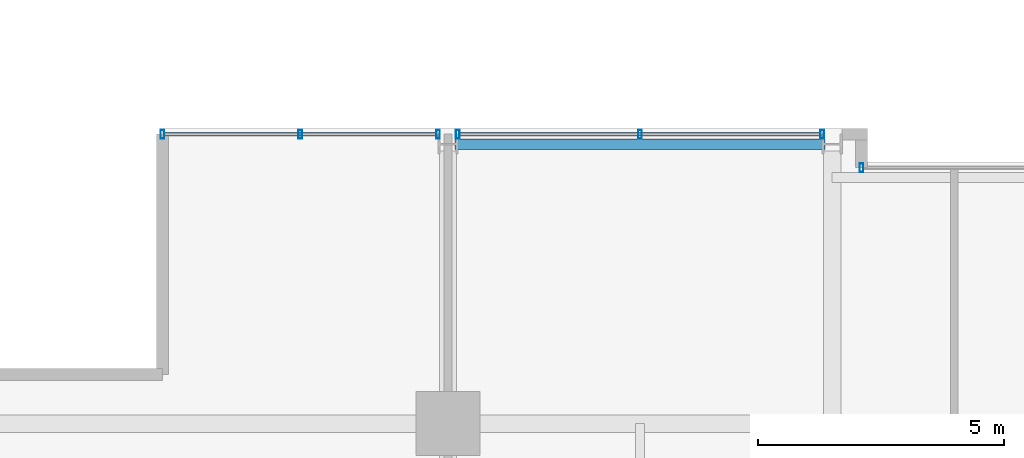
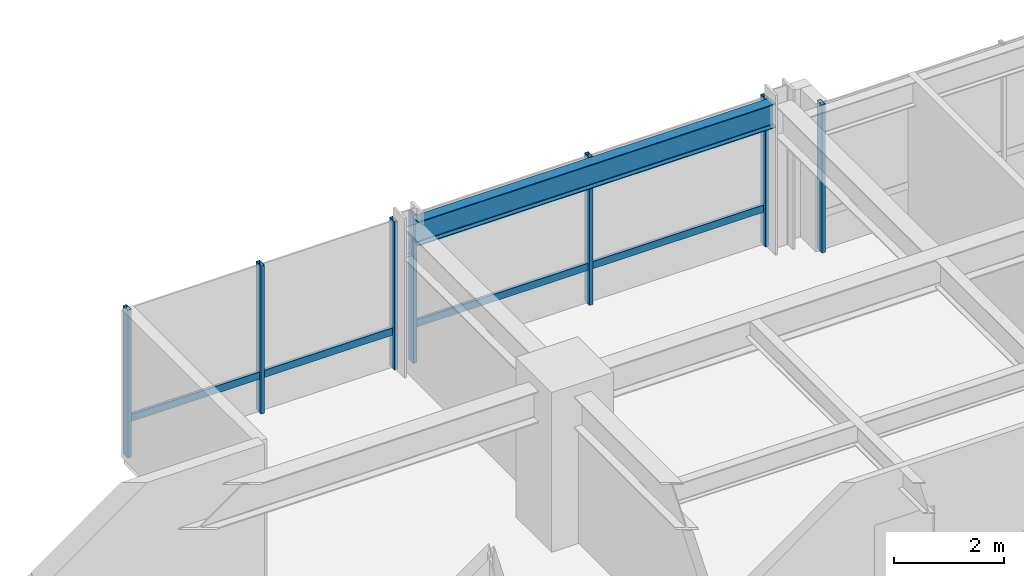
# One storey, part 21 of 33: 9 members, 1 beam, 3 elements without a shape of their own.
"""IFC4 building model written with IfcOpenShell, lengths in metres."""

from ifc_helpers import new_model, si_unit, direction, frame, origin, origin_2d, place, context, subcontext, project, spatial, hollow_rectangle, i_section, extrude, material, layer, layer_set, material_profile, profile_set, type_object, element, aggregate, save


model = new_model("IFC4")

# Units and contexts
model_context = context("Model", 3, precision=1e-05, world=origin(), true_north=direction((0.0, 1.0)))
body_context = subcontext(model_context, "Body", "Model", "MODEL_VIEW")
ifc_project = project(units=[si_unit("LENGTHUNIT", "METRE"), si_unit("AREAUNIT", "SQUARE_METRE"), si_unit("VOLUMEUNIT", "CUBIC_METRE"), si_unit("PLANEANGLEUNIT", "RADIAN"), si_unit("MASSUNIT", "GRAM", prefix="KILO")], contexts=[model_context])

# Site, building, storey
site_placement = place(None, origin())
site = spatial("IfcSite", under=ifc_project, at=site_placement, CompositionType="ELEMENT")
building_placement = place(site_placement, origin())
building = spatial("IfcBuilding", under=site, at=building_placement, Name="Drelvath Grand Hotel", CompositionType="ELEMENT")
storey_placement = place(building_placement, frame((0.0, 0.0, 171.699951171875)))
storey = spatial("IfcBuildingStorey", under=building, at=storey_placement, Name="L44", CompositionType="ELEMENT", Elevation=171.699951171875)

# Curtain wall, member
ifc_material_1 = material(Name="Brushed Pale-Silver Anodised Aluminium Frame", Category="aluminium")
ifc_layer = layer(ifc_material_1, 0.199951171875)
ifc_layer_set = layer_set([ifc_layer], Name="Brushed Pale-Silver Anodised Aluminium Frame")
curtain_wall_type = type_object("IfcCurtainWallType", Name="Stick Curtain Wall CW-04 Brushed Silver Upper-Mid", PredefinedType="NOTDEFINED", material=ifc_layer_set)
curtain_wall_1_placement = place(storey_placement, origin())
curtain_wall_1 = element("IfcCurtainWall", 1, at=curtain_wall_1_placement, inside=storey, type_object=curtain_wall_type, Name="L44 CW-04 Curtain Wall CW04-L44-NW1", PredefinedType="NOTDEFINED")
ifc_material_profile_1 = material_profile(ifc_material_1, hollow_rectangle(XDim=0.06494140625, YDim=0.159912109375, WallThickness=0.00390625, at=origin_2d()), Name="HSS160X65X4")
ifc_profile_set_1 = profile_set([ifc_material_profile_1], Name="Brushed Pale-Silver Anodised Aluminium Frame")
member_type_1 = type_object("IfcMemberType", Name="Curtain Wall Horizontal Transom CW-04 HSS160X65X4", PredefinedType="USERDEFINED", material=ifc_profile_set_1)
member_1_placement = place(storey_placement, frame((-21.9599609375, 49.080078125, 0.822509765625), z_axis=(1.0, 0.0, 0.0), x_axis=(0.0, 1.0, 0.0)))
member_1 = element("IfcMember", 2, at=member_1_placement, type_object=member_type_1, Name="CW04-L44-NW1 Sill Transom", ObjectType="TRANSOM", PredefinedType="USERDEFINED", context=body_context, shape_type="SweptSolid", body=[
    extrude(hollow_rectangle(XDim=0.06494140625, YDim=0.159912109375, WallThickness=0.00390625, at=origin_2d()), origin(), (0.0, 0.0, 1.0), 5.519775390625),
])

curtain_wall_2_placement = place(storey_placement, origin())
curtain_wall_2 = element("IfcCurtainWall", 3, at=curtain_wall_2_placement, inside=storey, type_object=curtain_wall_type, Name="L44 CW-04 Curtain Wall CW04-L44-NW2", PredefinedType="NOTDEFINED")
member_2_placement = place(storey_placement, frame((-15.9599609375, 49.080078125, 0.822509765625), z_axis=(1.0, 0.0, 0.0), x_axis=(0.0, 1.0, 0.0)))
member_2 = element("IfcMember", 4, at=member_2_placement, type_object=member_type_1, Name="CW04-L44-NW2 Sill Transom", ObjectType="TRANSOM", PredefinedType="USERDEFINED", context=body_context, shape_type="SweptSolid", body=[
    extrude(hollow_rectangle(XDim=0.06494140625, YDim=0.159912109375, WallThickness=0.00390625, at=origin_2d()), origin(), (0.0, 0.0, 1.0), 7.31982421875),
])

# Member
ifc_material_profile_2 = material_profile(ifc_material_1, hollow_rectangle(XDim=0.074951171875, YDim=0.179931640625, WallThickness=0.0048828125, at=origin_2d()), Name="HSS180X75X5")
ifc_profile_set_2 = profile_set([ifc_material_profile_2], Name="Brushed Pale-Silver Anodised Aluminium Frame")
member_type_2 = type_object("IfcMemberType", Name="Curtain Wall Vertical Mullion CW-04 HSS180X75X5", PredefinedType="MULLION", material=ifc_profile_set_2)
member_3_placement = place(storey_placement, frame((-22.0, 49.080078125, 0.0), z_axis=(0.0, 0.0, 1.0), x_axis=(1.0, 0.0, 0.0)))
member_3 = element("IfcMember", 5, at=member_3_placement, type_object=member_type_2, Name="CW04-L44-NW1 Mullion 1", PredefinedType="MULLION", context=body_context, shape_type="SweptSolid", body=[
    extrude(hollow_rectangle(XDim=0.074951171875, YDim=0.179931640625, WallThickness=0.0048828125, at=origin_2d()), origin(), (0.0, 0.0, 1.0), 3.2900390625),
])

member_4_placement = place(storey_placement, frame((-19.199951171875, 49.080078125, 0.0), z_axis=(0.0, 0.0, 1.0), x_axis=(1.0, 0.0, 0.0)))
member_4 = element("IfcMember", 6, at=member_4_placement, type_object=member_type_2, Name="CW04-L44-NW1 Mullion 2", PredefinedType="MULLION", context=body_context, shape_type="SweptSolid", body=[
    extrude(hollow_rectangle(XDim=0.074951171875, YDim=0.179931640625, WallThickness=0.0048828125, at=origin_2d()), origin(), (0.0, 0.0, 1.0), 3.2900390625),
])

member_5_placement = place(storey_placement, frame((-16.400146484375, 49.080078125, 0.0), z_axis=(0.0, 0.0, 1.0), x_axis=(1.0, 0.0, 0.0)))
member_5 = element("IfcMember", 7, at=member_5_placement, type_object=member_type_2, Name="CW04-L44-NW1 Mullion 3", PredefinedType="MULLION", context=body_context, shape_type="SweptSolid", body=[
    extrude(hollow_rectangle(XDim=0.074951171875, YDim=0.179931640625, WallThickness=0.0048828125, at=origin_2d()), origin(), (0.0, 0.0, 1.0), 3.2900390625),
])

aggregate(curtain_wall_1, [member_3, member_4, member_5, member_1])

member_6_placement = place(storey_placement, frame((-16.0, 49.080078125, 0.0), z_axis=(0.0, 0.0, 1.0), x_axis=(1.0, 0.0, 0.0)))
member_6 = element("IfcMember", 8, at=member_6_placement, type_object=member_type_2, Name="CW04-L44-NW2 Mullion 1", PredefinedType="MULLION", context=body_context, shape_type="SweptSolid", body=[
    extrude(hollow_rectangle(XDim=0.074951171875, YDim=0.179931640625, WallThickness=0.0048828125, at=origin_2d()), origin(), (0.0, 0.0, 1.0), 3.2900390625),
])

member_7_placement = place(storey_placement, frame((-12.300048828125, 49.080078125, 0.0), z_axis=(0.0, 0.0, 1.0), x_axis=(1.0, 0.0, 0.0)))
member_7 = element("IfcMember", 9, at=member_7_placement, type_object=member_type_2, Name="CW04-L44-NW2 Mullion 2", PredefinedType="MULLION", context=body_context, shape_type="SweptSolid", body=[
    extrude(hollow_rectangle(XDim=0.074951171875, YDim=0.179931640625, WallThickness=0.0048828125, at=origin_2d()), origin(), (0.0, 0.0, 1.0), 3.2900390625),
])

member_8_placement = place(storey_placement, frame((-8.60009765625, 49.080078125, 0.0), z_axis=(0.0, 0.0, 1.0), x_axis=(1.0, 0.0, 0.0)))
member_8 = element("IfcMember", 10, at=member_8_placement, type_object=member_type_2, Name="CW04-L44-NW2 Mullion 3", PredefinedType="MULLION", context=body_context, shape_type="SweptSolid", body=[
    extrude(hollow_rectangle(XDim=0.074951171875, YDim=0.179931640625, WallThickness=0.0048828125, at=origin_2d()), origin(), (0.0, 0.0, 1.0), 3.2900390625),
])

aggregate(curtain_wall_2, [member_6, member_7, member_8, member_2])

# Curtain wall, member
curtain_wall_3_placement = place(storey_placement, origin())
curtain_wall_3 = element("IfcCurtainWall", 11, at=curtain_wall_3_placement, inside=storey, type_object=curtain_wall_type, Name="L44 CW-04 Curtain Wall CW04-L44-NM1", PredefinedType="NOTDEFINED")
member_9_placement = place(storey_placement, frame((-7.800048828125, 48.39990234375, 0.0), z_axis=(0.0, 0.0, 1.0), x_axis=(1.0, 0.0, 0.0)))
member_9 = element("IfcMember", 12, at=member_9_placement, type_object=member_type_2, Name="CW04-L44-NM1 Mullion 1", PredefinedType="MULLION", context=body_context, shape_type="SweptSolid", body=[
    extrude(hollow_rectangle(XDim=0.074951171875, YDim=0.179931640625, WallThickness=0.0048828125, at=origin_2d()), origin(), (0.0, 0.0, 1.0), 3.2900390625),
])
aggregate(curtain_wall_3, [member_9])

# Beam
ifc_material_2 = material(Name="Steel ASTM A992 Gr 50", Category="steel")
ifc_material_profile_3 = material_profile(ifc_material_2, i_section(OverallWidth=0.210205078125, OverallDepth=0.53662109375, WebThickness=0.010986328125, FlangeThickness=0.017333984375, FilletRadius=0.01806640625, at=origin_2d()), Name="W21X68")
ifc_profile_set_3 = profile_set([ifc_material_profile_3], Name="Steel ASTM A992 Gr 50")
beam_type = type_object("IfcBeamType", Name="Perimeter Spandrel Beam W21X68", PredefinedType="SPANDREL", material=ifc_profile_set_3)
beam_placement = place(storey_placement, frame((-16.06005859375, 48.8798828125, 3.021728515625), z_axis=(1.0, 0.0, 0.0), x_axis=(0.0, 1.0, 0.0)))
element("IfcBeam", 13, at=beam_placement, inside=storey, type_object=beam_type, Name="L44 Spandrel North W", PredefinedType="SPANDREL", context=body_context, shape_type="SweptSolid", body=[
    extrude(i_section(OverallWidth=0.210205078125, OverallDepth=0.53662109375, WebThickness=0.010986328125, FlangeThickness=0.017333984375, FilletRadius=0.01806640625, at=origin_2d()), origin(), (0.0, 0.0, 1.0), 7.52001953125),
])

save(model, "model.ifc")
